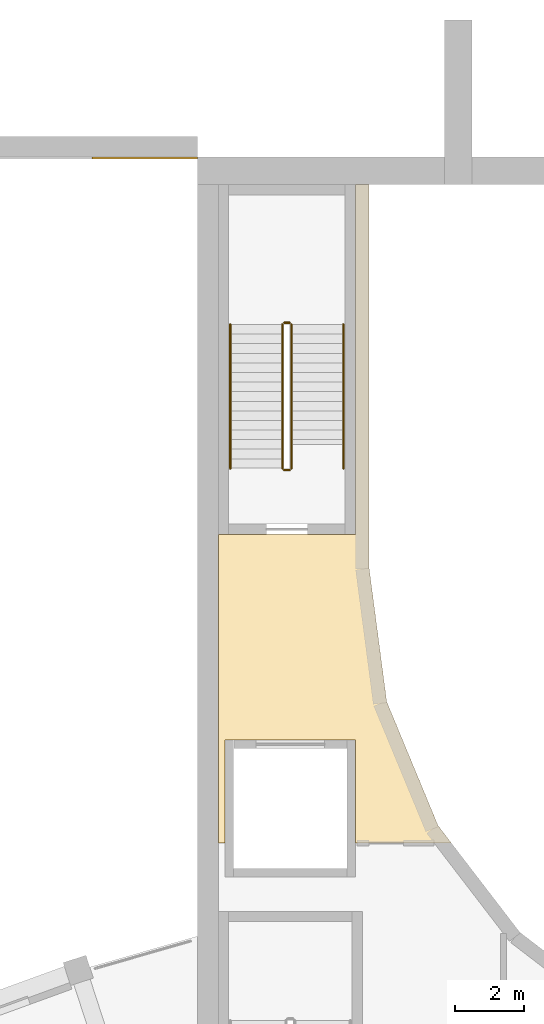
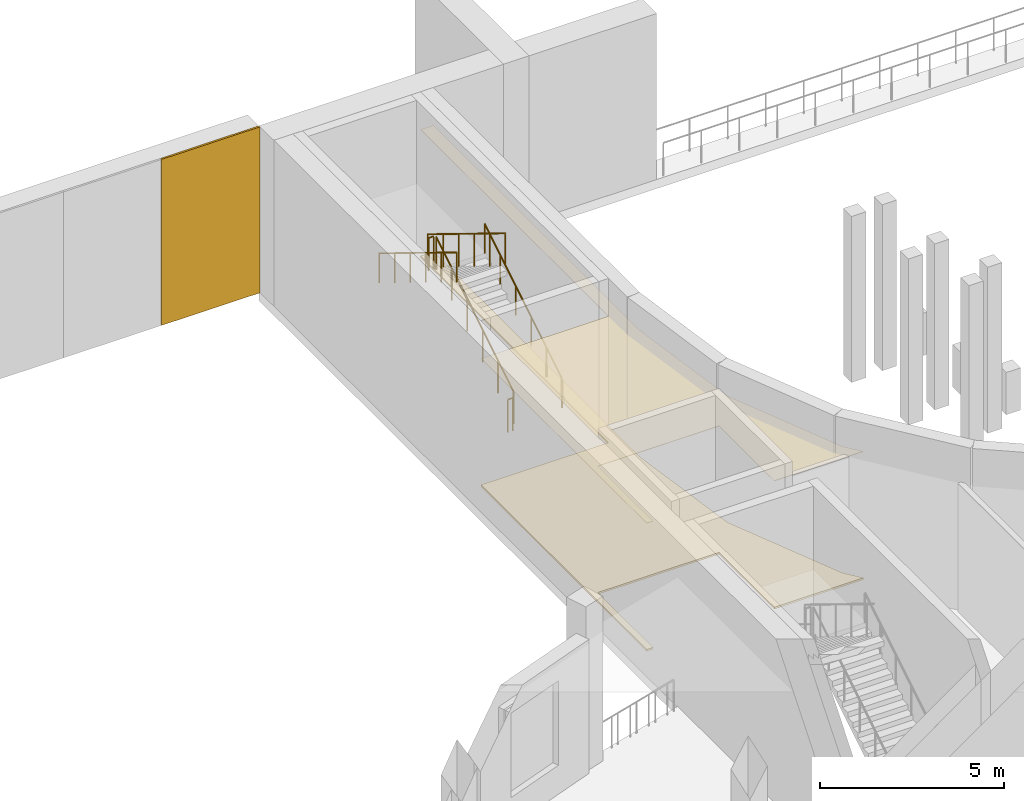
# One storey, part 94 of 112: 6 railings, 3 coverings.
"""IFC4 building model written with IfcOpenShell, lengths in metres."""

from ifc_helpers import new_model, si_unit, direction, frame, origin, origin_2d, place, context, subcontext, project, spatial, polyline, rectangle, circle, outline, extrude, material, layer, layer_set, type_object, element, save


model = new_model("IFC4")

# Units and contexts
model_context = context("Model", 3, precision=1e-05, world=origin(), true_north=direction((0.0, 1.0)))
body_context = subcontext(model_context, "Body", "Model", "MODEL_VIEW")
ifc_project = project(units=[si_unit("LENGTHUNIT", "METRE"), si_unit("AREAUNIT", "SQUARE_METRE"), si_unit("VOLUMEUNIT", "CUBIC_METRE"), si_unit("PLANEANGLEUNIT", "RADIAN"), si_unit("MASSUNIT", "GRAM", prefix="KILO")], contexts=[model_context])

# Site, building, storey
site_placement = place(None, origin())
site = spatial("IfcSite", under=ifc_project, at=site_placement, CompositionType="ELEMENT")
building_placement = place(site_placement, origin())
building = spatial("IfcBuilding", under=site, at=building_placement, Name="Lunette Opera House", CompositionType="ELEMENT")
storey_placement = place(building_placement, frame((0.0, 0.0, 6.0)))
storey = spatial("IfcBuildingStorey", under=building, at=storey_placement, Name="L01", CompositionType="ELEMENT", Elevation=6.0)

# Railings
ifc_material_1 = material(Name="Steel S355", Category="steel")
railing_type_1 = type_object("IfcRailingType", Name="STAIR GUARD 1100", PredefinedType="GUARDRAIL", material=ifc_material_1)
railing_1_placement = place(storey_placement, frame((78.72998046875, 86.919921875, 0.171875)))
element("IfcRailing", 1, at=railing_1_placement, inside=storey, type_object=railing_type_1, Name="L01 ST10 stair guard 1", PredefinedType="GUARDRAIL", context=body_context, shape_type="SweptSolid", body=[
    extrude(circle(Radius=0.02392578125, at=origin_2d()), frame((0.0, 0.0, 1.076171875), z_axis=(0.0, 0.852256472501, 0.523124177495), x_axis=(-1.0, 0.0, 0.0)), (0.0, 0.0, 1.0), 4.92822265625),
    extrude(circle(Radius=0.02099609375, at=origin_2d()), origin(), (0.0, 0.0, 1.0), 1.052001953125),
    extrude(circle(Radius=0.02099609375, at=origin_2d()), frame((0.0, 0.840087890625, 0.515625)), (0.0, 0.0, 1.0), 1.052001953125),
    extrude(circle(Radius=0.02099609375, at=origin_2d()), frame((0.0, 1.68017578125, 1.03125)), (0.0, 0.0, 1.0), 1.052001953125),
    extrude(circle(Radius=0.02099609375, at=origin_2d()), frame((0.0, 2.52001953125, 1.546875)), (0.0, 0.0, 1.0), 1.052001953125),
    extrude(circle(Radius=0.02099609375, at=origin_2d()), frame((0.0, 3.360107421875, 2.0625)), (0.0, 0.0, 1.0), 1.052001953125),
    extrude(circle(Radius=0.02099609375, at=origin_2d()), frame((0.0, 4.2001953125, 2.578125)), (0.0, 0.0, 1.0), 1.052001953125),
])
railing_2_placement = place(storey_placement, frame((78.679931640625, 91.169921875, 2.75)))
element("IfcRailing", 2, at=railing_2_placement, inside=storey, type_object=railing_type_1, Name="L01 ST10 stair guard 2", PredefinedType="GUARDRAIL", context=body_context, shape_type="SweptSolid", body=[
    extrude(circle(Radius=0.02392578125, at=origin_2d()), frame((0.0, 0.0, 1.076171875), z_axis=(-1.0, 0.0, 0.0), x_axis=(0.0, -1.0, 0.0)), (0.0, 0.0, 1.0), 0.159912109375),
    extrude(circle(Radius=0.02099609375, at=origin_2d()), origin(), (0.0, 0.0, 1.0), 1.052001953125),
    extrude(circle(Radius=0.02099609375, at=origin_2d()), frame((-0.159912109375, 0.0, 0.0)), (0.0, 0.0, 1.0), 1.052001953125),
])
railing_3_placement = place(storey_placement, frame((78.469970703125, 91.1201171875, 2.921875)))
element("IfcRailing", 3, at=railing_3_placement, inside=storey, type_object=railing_type_1, Name="L01 ST10 stair guard 3", PredefinedType="GUARDRAIL", context=body_context, shape_type="SweptSolid", body=[
    extrude(circle(Radius=0.02392578125, at=origin_2d()), frame((0.0, 0.0, 1.076171875), z_axis=(0.0, -0.852256472501, 0.523124177495), x_axis=(1.0, 0.0, 0.0)), (0.0, 0.0, 1.0), 4.92822265625),
    extrude(circle(Radius=0.02099609375, at=origin_2d()), origin(), (0.0, 0.0, 1.0), 1.052001953125),
    extrude(circle(Radius=0.02099609375, at=origin_2d()), frame((0.0, -0.840087890625, 0.515625)), (0.0, 0.0, 1.0), 1.052001953125),
    extrude(circle(Radius=0.02099609375, at=origin_2d()), frame((0.0, -1.68017578125, 1.03125)), (0.0, 0.0, 1.0), 1.052001953125),
    extrude(circle(Radius=0.02099609375, at=origin_2d()), frame((0.0, -2.52001953125, 1.546875)), (0.0, 0.0, 1.0), 1.052001953125),
    extrude(circle(Radius=0.02099609375, at=origin_2d()), frame((0.0, -3.360107421875, 2.0625)), (0.0, 0.0, 1.0), 1.052001953125),
    extrude(circle(Radius=0.02099609375, at=origin_2d()), frame((0.0, -4.2001953125, 2.578125)), (0.0, 0.0, 1.0), 1.052001953125),
])
railing_4_placement = place(storey_placement, frame((78.679931640625, 86.8701171875, 0.0)))
element("IfcRailing", 4, at=railing_4_placement, inside=storey, type_object=railing_type_1, Name="L01 ST10 stair guard 4", PredefinedType="GUARDRAIL", context=body_context, shape_type="SweptSolid", body=[
    extrude(circle(Radius=0.02392578125, at=origin_2d()), frame((0.0, 0.0, 1.076171875), z_axis=(-1.0, 0.0, 0.0), x_axis=(0.0, -1.0, 0.0)), (0.0, 0.0, 1.0), 0.159912109375),
    extrude(circle(Radius=0.02099609375, at=origin_2d()), origin(), (0.0, 0.0, 1.0), 1.052001953125),
    extrude(circle(Radius=0.02099609375, at=origin_2d()), frame((-0.159912109375, 0.0, 0.0)), (0.0, 0.0, 1.0), 1.052001953125),
])
ifc_material_2 = material(Name="Steel S355", Category="steel")
railing_type_2 = type_object("IfcRailingType", Name="STAIR HANDRAIL 1000", PredefinedType="HANDRAIL", material=ifc_material_2)
railing_5_placement = place(storey_placement, frame((80.25, 86.919921875, 0.171875)))
element("IfcRailing", 5, at=railing_5_placement, inside=storey, type_object=railing_type_2, Name="L01 ST10 stair handrail 1", PredefinedType="HANDRAIL", context=body_context, shape_type="SweptSolid", body=[
    extrude(circle(Radius=0.02392578125, at=origin_2d()), frame((0.0, 0.0, 0.97607421875), z_axis=(0.0, 0.852256472501, 0.523124177495), x_axis=(-1.0, 0.0, 0.0)), (0.0, 0.0, 1.0), 4.92822265625),
    extrude(circle(Radius=0.02099609375, at=origin_2d()), origin(), (0.0, 0.0, 1.0), 0.951904296875),
    extrude(circle(Radius=0.02099609375, at=origin_2d()), frame((0.0, 0.840087890625, 0.515625)), (0.0, 0.0, 1.0), 0.951904296875),
    extrude(circle(Radius=0.02099609375, at=origin_2d()), frame((0.0, 1.68017578125, 1.03125)), (0.0, 0.0, 1.0), 0.951904296875),
    extrude(circle(Radius=0.02099609375, at=origin_2d()), frame((0.0, 2.52001953125, 1.546875)), (0.0, 0.0, 1.0), 0.951904296875),
    extrude(circle(Radius=0.02099609375, at=origin_2d()), frame((0.0, 3.360107421875, 2.0625)), (0.0, 0.0, 1.0), 0.951904296875),
    extrude(circle(Radius=0.02099609375, at=origin_2d()), frame((0.0, 4.2001953125, 2.578125)), (0.0, 0.0, 1.0), 0.951904296875),
])
railing_6_placement = place(storey_placement, frame((76.949951171875, 91.1201171875, 2.921875)))
element("IfcRailing", 6, at=railing_6_placement, inside=storey, type_object=railing_type_2, Name="L01 ST10 stair handrail 2", PredefinedType="HANDRAIL", context=body_context, shape_type="SweptSolid", body=[
    extrude(circle(Radius=0.02392578125, at=origin_2d()), frame((0.0, 0.0, 0.97607421875), z_axis=(0.0, -0.852256472501, 0.523124177495), x_axis=(1.0, 0.0, 0.0)), (0.0, 0.0, 1.0), 4.92822265625),
    extrude(circle(Radius=0.02099609375, at=origin_2d()), origin(), (0.0, 0.0, 1.0), 0.951904296875),
    extrude(circle(Radius=0.02099609375, at=origin_2d()), frame((0.0, -0.840087890625, 0.515625)), (0.0, 0.0, 1.0), 0.951904296875),
    extrude(circle(Radius=0.02099609375, at=origin_2d()), frame((0.0, -1.68017578125, 1.03125)), (0.0, 0.0, 1.0), 0.951904296875),
    extrude(circle(Radius=0.02099609375, at=origin_2d()), frame((0.0, -2.52001953125, 1.546875)), (0.0, 0.0, 1.0), 0.951904296875),
    extrude(circle(Radius=0.02099609375, at=origin_2d()), frame((0.0, -3.360107421875, 2.0625)), (0.0, 0.0, 1.0), 0.951904296875),
    extrude(circle(Radius=0.02099609375, at=origin_2d()), frame((0.0, -4.2001953125, 2.578125)), (0.0, 0.0, 1.0), 0.951904296875),
])

# Coverings
ifc_material_3 = material(Name="Aluminium standing seam cladding", Category="aluminium")
ifc_layer_1 = layer(ifc_material_3, 0.06005859375)
ifc_layer_set_1 = layer_set([ifc_layer_1], Name="Aluminium standing seam cladding")
covering_type_1 = type_object("IfcCoveringType", Name="STANDING SEAM CLADDING 60", PredefinedType="CLADDING", material=ifc_layer_set_1)
covering_1_placement = place(storey_placement, frame((74.450927734375, 95.969970703125, 0.0), z_axis=(0.0, 0.0, 1.0), x_axis=(1.0, 0.0, 0.0)))
element("IfcCovering", 7, at=covering_1_placement, inside=storey, type_object=covering_type_1, Name="Standing seam cladding SW-S-1 L01 04", PredefinedType="CLADDING", context=body_context, shape_type="SweptSolid", body=[
    extrude(rectangle(XDim=3.077880859375, YDim=0.06005859375, at=origin_2d()), origin(), (0.0, 0.0, 1.0), 5.5),
])
ifc_material_4 = material(Name="Mineral fibre board")
ifc_layer_2 = layer(ifc_material_4, 0.014892578125)
ifc_layer_set_2 = layer_set([ifc_layer_2], Name="Mineral fibre board")
covering_type_2 = type_object("IfcCoveringType", Name="SUSPENDED ACOUSTIC CEILING 15", PredefinedType="CEILING", material=ifc_layer_set_2)
covering_2_placement = place(storey_placement, frame((0.0, 0.0, 4.235107421875)))
element("IfcCovering", 8, at=covering_2_placement, inside=storey, type_object=covering_type_2, Name="Ceiling Stalls Gallery Foyer", PredefinedType="CEILING", context=body_context, shape_type="SweptSolid", body=[
    extrude(outline(polyline([(80.60009765625, 95.199951171875), (81.0, 95.199951171875), (81.0, 84.0), (81.510986328125, 80.117919921875), (83.010009765625, 76.5), (83.39306640625, 76.0), (80.60009765625, 76.0), (80.60009765625, 79.0), (76.800048828125, 79.0), (76.800048828125, 76.0), (76.60009765625, 76.0), (76.60009765625, 85.0), (80.60009765625, 85.0), (80.60009765625, 95.199951171875)])), origin(), (0.0, 0.0, 1.0), 0.014892578125),
])
ifc_material_5 = material(Name="Terrazzo")
ifc_layer_3 = layer(ifc_material_5, 0.06005859375)
ifc_layer_set_3 = layer_set([ifc_layer_3], Name="Terrazzo")
covering_type_3 = type_object("IfcCoveringType", Name="TERRAZZO FLOOR FINISH 60", PredefinedType="FLOORING", material=ifc_layer_set_3)
covering_3_placement = place(storey_placement, origin())
element("IfcCovering", 9, at=covering_3_placement, inside=storey, type_object=covering_type_3, Name="Floor finish Stalls Gallery Foyer", PredefinedType="FLOORING", context=body_context, shape_type="SweptSolid", body=[
    extrude(outline(polyline([(80.60009765625, 95.199951171875), (81.0, 95.199951171875), (81.0, 84.0), (81.510986328125, 80.117919921875), (83.010009765625, 76.5), (83.39306640625, 76.0), (80.60009765625, 76.0), (80.60009765625, 79.0), (76.800048828125, 79.0), (76.800048828125, 76.0), (76.60009765625, 76.0), (76.60009765625, 85.0), (80.60009765625, 85.0), (80.60009765625, 95.199951171875)])), origin(), (0.0, 0.0, 1.0), 0.06005859375),
])

save(model, "model.ifc")
